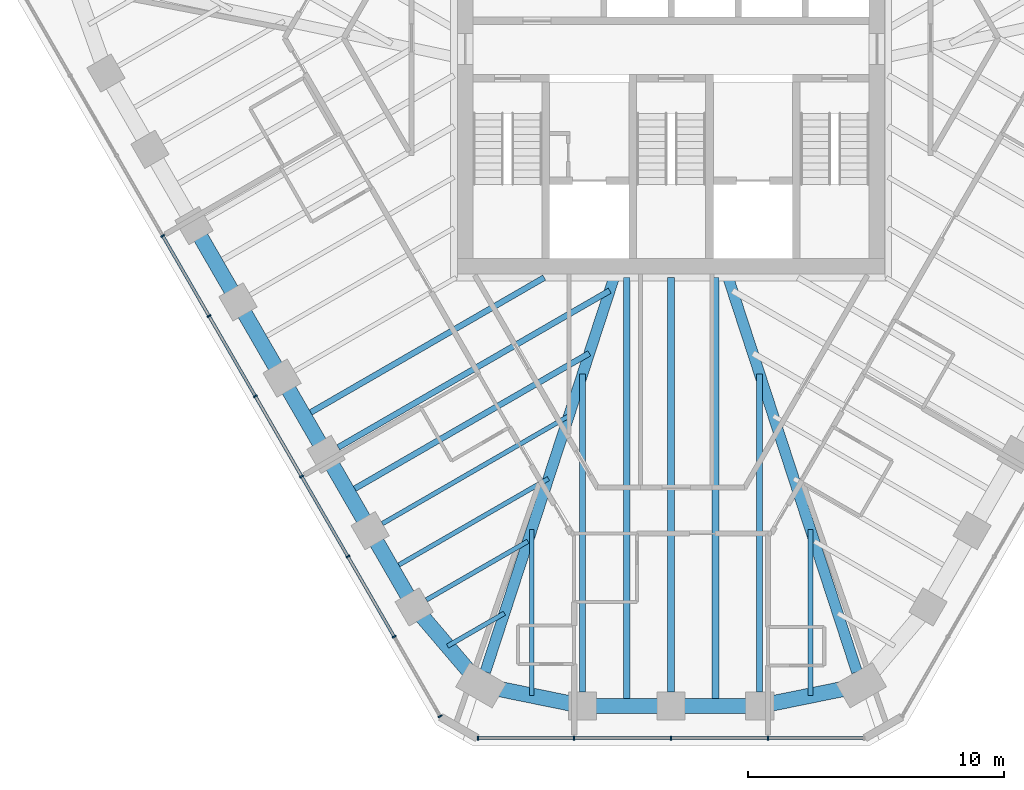
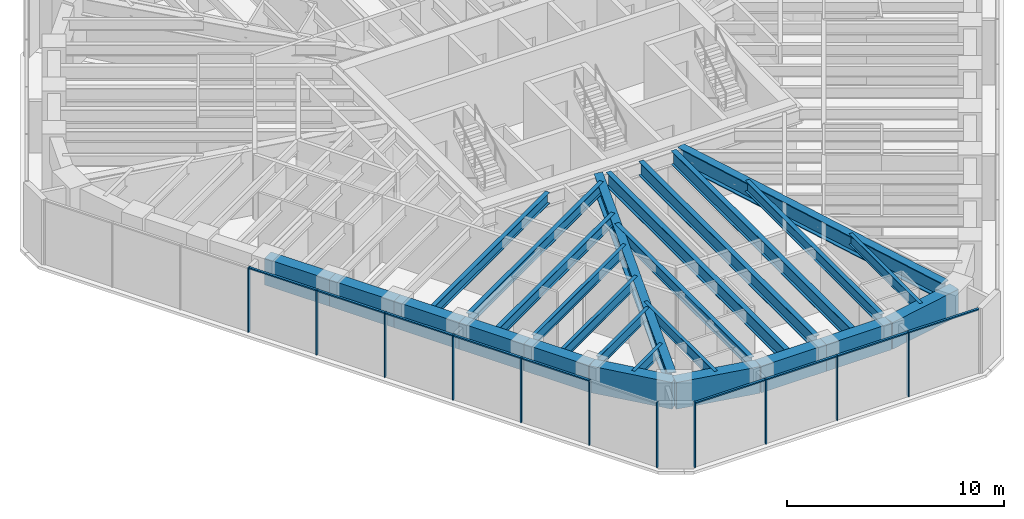
# One storey, part 2 of 14: 26 beams, 20 members, 2 elements without a shape of their own.
"""IFC4 building model written with IfcOpenShell, lengths in metres."""

from ifc_helpers import new_model, si_unit, direction, frame, origin, origin_2d, place, context, subcontext, project, spatial, rectangle, i_section, extrude, material, material_profile, profile_set, type_object, element, aggregate, save


model = new_model("IFC4")

# Units and contexts
model_context = context("Model", 3, precision=1e-05, world=origin(), true_north=direction((0.0, 1.0)))
body_context = subcontext(model_context, "Body", "Model", "MODEL_VIEW")
ifc_project = project(units=[si_unit("LENGTHUNIT", "METRE"), si_unit("AREAUNIT", "SQUARE_METRE"), si_unit("VOLUMEUNIT", "CUBIC_METRE"), si_unit("PLANEANGLEUNIT", "RADIAN"), si_unit("MASSUNIT", "GRAM", prefix="KILO")], contexts=[model_context])

# Site, building, storey
site_placement = place(None, origin())
site = spatial("IfcSite", under=ifc_project, at=site_placement, CompositionType="ELEMENT")
building_placement = place(site_placement, origin())
building = spatial("IfcBuilding", under=site, at=building_placement, Name="Sandreach Pilgrim Tower", CompositionType="ELEMENT")
storey_placement = place(building_placement, frame((0.0, 0.0, 291.199951171875)))
storey = spatial("IfcBuildingStorey", under=building, at=storey_placement, Name="L73", CompositionType="ELEMENT", Elevation=291.199951171875)

# Curtain wall, members
ifc_material_1 = material(Name="Aluminium framed curtain wall", Category="aluminium")
curtain_wall_type = type_object("IfcCurtainWallType", Name="Suite tower curtain wall", PredefinedType="NOTDEFINED", material=ifc_material_1)
curtain_wall_1_placement = place(storey_placement, origin())
curtain_wall_1 = element("IfcCurtainWall", 1, at=curtain_wall_1_placement, inside=storey, type_object=curtain_wall_type, Name="CW-4 L73 S", PredefinedType="NOTDEFINED")
ifc_material_2 = material(Name="Aluminium extrusion", Category="aluminium")
ifc_material_profile_1 = material_profile(ifc_material_2, rectangle(XDim=0.06005859375, YDim=0.159912109375, at=origin_2d()), Name="CW-4M 60X160")
ifc_profile_set_1 = profile_set([ifc_material_profile_1], Name="Aluminium extrusion")
member_type_1 = type_object("IfcMemberType", Name="CW-4 mullion", PredefinedType="MULLION", material=ifc_profile_set_1)
member_1_placement = place(storey_placement, frame((3.791748046875, -24.858154296875, 0.0), z_axis=(0.0, 0.0, 1.0), x_axis=(-1.0, 0.0, 0.0)))
member_1 = element("IfcMember", 2, at=member_1_placement, type_object=member_type_1, Name="CW-4 mullion 2", PredefinedType="MULLION", context=body_context, shape_type="SweptSolid", body=[
    extrude(rectangle(XDim=0.06005859375, YDim=0.159912109375, at=origin_2d()), origin(), (0.0, 0.0, 1.0), 3.64013671875),
])
member_2_placement = place(storey_placement, frame((0.0, -24.858154296875, 0.0), z_axis=(0.0, 0.0, 1.0), x_axis=(-1.0, 0.0, 0.0)))
member_2 = element("IfcMember", 3, at=member_2_placement, type_object=member_type_1, Name="CW-4 mullion 3", PredefinedType="MULLION", context=body_context, shape_type="SweptSolid", body=[
    extrude(rectangle(XDim=0.06005859375, YDim=0.159912109375, at=origin_2d()), origin(), (0.0, 0.0, 1.0), 3.64013671875),
])
member_3_placement = place(storey_placement, frame((-3.791748046875, -24.858154296875, 0.0), z_axis=(0.0, 0.0, 1.0), x_axis=(-1.0, 0.0, 0.0)))
member_3 = element("IfcMember", 4, at=member_3_placement, type_object=member_type_1, Name="CW-4 mullion 4", PredefinedType="MULLION", context=body_context, shape_type="SweptSolid", body=[
    extrude(rectangle(XDim=0.06005859375, YDim=0.159912109375, at=origin_2d()), origin(), (0.0, 0.0, 1.0), 3.64013671875),
])
member_4_placement = place(storey_placement, frame((-7.553466796875, -24.858154296875, 0.0), z_axis=(0.0, 0.0, 1.0), x_axis=(-1.0, 0.0, 0.0)))
member_4 = element("IfcMember", 5, at=member_4_placement, type_object=member_type_1, Name="CW-4 mullion 5", PredefinedType="MULLION", context=body_context, shape_type="SweptSolid", body=[
    extrude(rectangle(XDim=0.06005859375, YDim=0.159912109375, at=origin_2d()), origin(), (0.0, 0.0, 1.0), 3.64013671875),
])

curtain_wall_2_placement = place(storey_placement, origin())
curtain_wall_2 = element("IfcCurtainWall", 6, at=curtain_wall_2_placement, inside=storey, type_object=curtain_wall_type, Name="CW-4 L73 SW", PredefinedType="NOTDEFINED")
member_5_placement = place(storey_placement, frame((-9.035888671875, -24.001953125, 0.0), z_axis=(0.0, 0.0, 1.0), x_axis=(-0.5, 0.866025403784, 0.0)))
member_5 = element("IfcMember", 7, at=member_5_placement, type_object=member_type_1, Name="CW-4 mullion 1", PredefinedType="MULLION", context=body_context, shape_type="SweptSolid", body=[
    extrude(rectangle(XDim=0.06005859375, YDim=0.159912109375, at=origin_2d()), origin(), (0.0, 0.0, 1.0), 3.64013671875),
])
member_6_placement = place(storey_placement, frame((-10.83203125, -20.891357421875, 0.0), z_axis=(0.0, 0.0, 1.0), x_axis=(-0.5, 0.866025403784, 0.0)))
member_6 = element("IfcMember", 8, at=member_6_placement, type_object=member_type_1, Name="CW-4 mullion 2", PredefinedType="MULLION", context=body_context, shape_type="SweptSolid", body=[
    extrude(rectangle(XDim=0.06005859375, YDim=0.159912109375, at=origin_2d()), origin(), (0.0, 0.0, 1.0), 3.64013671875),
])
member_7_placement = place(storey_placement, frame((-12.642822265625, -17.7548828125, 0.0), z_axis=(0.0, 0.0, 1.0), x_axis=(-0.5, 0.866025403784, 0.0)))
member_7 = element("IfcMember", 9, at=member_7_placement, type_object=member_type_1, Name="CW-4 mullion 3", PredefinedType="MULLION", context=body_context, shape_type="SweptSolid", body=[
    extrude(rectangle(XDim=0.06005859375, YDim=0.159912109375, at=origin_2d()), origin(), (0.0, 0.0, 1.0), 3.64013671875),
])
member_8_placement = place(storey_placement, frame((-14.453857421875, -14.6181640625, 0.0), z_axis=(0.0, 0.0, 1.0), x_axis=(-0.5, 0.866025403784, 0.0)))
member_8 = element("IfcMember", 10, at=member_8_placement, type_object=member_type_1, Name="CW-4 mullion 4", PredefinedType="MULLION", context=body_context, shape_type="SweptSolid", body=[
    extrude(rectangle(XDim=0.06005859375, YDim=0.159912109375, at=origin_2d()), origin(), (0.0, 0.0, 1.0), 3.64013671875),
])
member_9_placement = place(storey_placement, frame((-16.2646484375, -11.4814453125, 0.0), z_axis=(0.0, 0.0, 1.0), x_axis=(-0.5, 0.866025403784, 0.0)))
member_9 = element("IfcMember", 11, at=member_9_placement, type_object=member_type_1, Name="CW-4 mullion 5", PredefinedType="MULLION", context=body_context, shape_type="SweptSolid", body=[
    extrude(rectangle(XDim=0.06005859375, YDim=0.159912109375, at=origin_2d()), origin(), (0.0, 0.0, 1.0), 3.64013671875),
])
member_10_placement = place(storey_placement, frame((-18.07568359375, -8.344970703125, 0.0), z_axis=(0.0, 0.0, 1.0), x_axis=(-0.5, 0.866025403784, 0.0)))
member_10 = element("IfcMember", 12, at=member_10_placement, type_object=member_type_1, Name="CW-4 mullion 6", PredefinedType="MULLION", context=body_context, shape_type="SweptSolid", body=[
    extrude(rectangle(XDim=0.06005859375, YDim=0.159912109375, at=origin_2d()), origin(), (0.0, 0.0, 1.0), 3.64013671875),
])
member_11_placement = place(storey_placement, frame((-19.886474609375, -5.208251953125, 0.0), z_axis=(0.0, 0.0, 1.0), x_axis=(-0.5, 0.866025403784, 0.0)))
member_11 = element("IfcMember", 13, at=member_11_placement, type_object=member_type_1, Name="CW-4 mullion 7", PredefinedType="MULLION", context=body_context, shape_type="SweptSolid", body=[
    extrude(rectangle(XDim=0.06005859375, YDim=0.159912109375, at=origin_2d()), origin(), (0.0, 0.0, 1.0), 3.64013671875),
])

# Member
ifc_material_3 = material(Name="Aluminium extrusion", Category="aluminium")
ifc_material_profile_2 = material_profile(ifc_material_3, rectangle(XDim=0.1201171875, YDim=0.070068359375, at=origin_2d()), Name="CW-4T 120X70")
ifc_profile_set_2 = profile_set([ifc_material_profile_2], Name="Aluminium extrusion")
member_type_2 = type_object("IfcMemberType", Name="CW-4 transom", PredefinedType="USERDEFINED", material=ifc_profile_set_2)
member_12_placement = place(storey_placement, frame((7.5234375, -24.858154296875, 3.60498046875), z_axis=(-1.0, 0.0, 0.0), x_axis=(0.0, -1.0, 0.0)))
member_12 = element("IfcMember", 14, at=member_12_placement, type_object=member_type_2, Name="CW-4 head transom 1", ObjectType="TRANSOM", PredefinedType="USERDEFINED", context=body_context, shape_type="SweptSolid", body=[
    extrude(rectangle(XDim=0.1201171875, YDim=0.070068359375, at=origin_2d()), origin(), (0.0, 0.0, 1.0), 3.70166015625),
])

member_13_placement = place(storey_placement, frame((3.76171875, -24.858154296875, 3.60498046875), z_axis=(-1.0, 0.0, 0.0), x_axis=(0.0, -1.0, 0.0)))
member_13 = element("IfcMember", 15, at=member_13_placement, type_object=member_type_2, Name="CW-4 head transom 2", ObjectType="TRANSOM", PredefinedType="USERDEFINED", context=body_context, shape_type="SweptSolid", body=[
    extrude(rectangle(XDim=0.1201171875, YDim=0.070068359375, at=origin_2d()), origin(), (0.0, 0.0, 1.0), 3.731689453125),
])

member_14_placement = place(storey_placement, frame((-0.030029296875, -24.858154296875, 3.60498046875), z_axis=(-1.0, 0.0, 0.0), x_axis=(0.0, -1.0, 0.0)))
member_14 = element("IfcMember", 16, at=member_14_placement, type_object=member_type_2, Name="CW-4 head transom 3", ObjectType="TRANSOM", PredefinedType="USERDEFINED", context=body_context, shape_type="SweptSolid", body=[
    extrude(rectangle(XDim=0.1201171875, YDim=0.070068359375, at=origin_2d()), origin(), (0.0, 0.0, 1.0), 3.731689453125),
])

member_15_placement = place(storey_placement, frame((-3.82177734375, -24.858154296875, 3.60498046875), z_axis=(-1.0, 0.0, 0.0), x_axis=(0.0, -1.0, 0.0)))
member_15 = element("IfcMember", 17, at=member_15_placement, type_object=member_type_2, Name="CW-4 head transom 4", ObjectType="TRANSOM", PredefinedType="USERDEFINED", context=body_context, shape_type="SweptSolid", body=[
    extrude(rectangle(XDim=0.1201171875, YDim=0.070068359375, at=origin_2d()), origin(), (0.0, 0.0, 1.0), 3.70166015625),
])

aggregate(curtain_wall_1, [member_1, member_2, member_3, member_4, member_12, member_13, member_14, member_15])

member_16_placement = place(storey_placement, frame((-10.846923828125, -20.865478515625, 3.60498046875), z_axis=(-0.500009219579, 0.866020080793, 0.0), x_axis=(-0.866020080793, -0.500009219579, 0.0)))
member_16 = element("IfcMember", 18, at=member_16_placement, type_object=member_type_2, Name="CW-4 head transom 2", ObjectType="TRANSOM", PredefinedType="USERDEFINED", context=body_context, shape_type="SweptSolid", body=[
    extrude(rectangle(XDim=0.1201171875, YDim=0.070068359375, at=origin_2d()), origin(), (0.0, 0.0, 1.0), 3.56201171875),
])

member_17_placement = place(storey_placement, frame((-12.657958984375, -17.728759765625, 3.60498046875), z_axis=(-0.499957811549, 0.866049759928, 0.0), x_axis=(-0.866049759928, -0.499957811549, 0.0)))
member_17 = element("IfcMember", 19, at=member_17_placement, type_object=member_type_2, Name="CW-4 head transom 3", ObjectType="TRANSOM", PredefinedType="USERDEFINED", context=body_context, shape_type="SweptSolid", body=[
    extrude(rectangle(XDim=0.1201171875, YDim=0.070068359375, at=origin_2d()), origin(), (0.0, 0.0, 1.0), 3.561767578125),
])

member_18_placement = place(storey_placement, frame((-14.46875, -14.59228515625, 3.60498046875), z_axis=(-0.500009219579, 0.866020080793, 0.0), x_axis=(-0.866020080793, -0.500009219579, 0.0)))
member_18 = element("IfcMember", 20, at=member_18_placement, type_object=member_type_2, Name="CW-4 head transom 4", ObjectType="TRANSOM", PredefinedType="USERDEFINED", context=body_context, shape_type="SweptSolid", body=[
    extrude(rectangle(XDim=0.1201171875, YDim=0.070068359375, at=origin_2d()), origin(), (0.0, 0.0, 1.0), 3.56201171875),
])

member_19_placement = place(storey_placement, frame((-16.27978515625, -11.45556640625, 3.60498046875), z_axis=(-0.499957811549, 0.866049759928, 0.0), x_axis=(-0.866049759928, -0.499957811549, 0.0)))
member_19 = element("IfcMember", 21, at=member_19_placement, type_object=member_type_2, Name="CW-4 head transom 5", ObjectType="TRANSOM", PredefinedType="USERDEFINED", context=body_context, shape_type="SweptSolid", body=[
    extrude(rectangle(XDim=0.1201171875, YDim=0.070068359375, at=origin_2d()), origin(), (0.0, 0.0, 1.0), 3.561767578125),
])

member_20_placement = place(storey_placement, frame((-18.090576171875, -8.31884765625, 3.60498046875), z_axis=(-0.500038900691, 0.866002943295, 0.0), x_axis=(-0.866002943295, -0.500038900691, 0.0)))
member_20 = element("IfcMember", 22, at=member_20_placement, type_object=member_type_2, Name="CW-4 head transom 6", ObjectType="TRANSOM", PredefinedType="USERDEFINED", context=body_context, shape_type="SweptSolid", body=[
    extrude(rectangle(XDim=0.1201171875, YDim=0.070068359375, at=origin_2d()), origin(), (0.0, 0.0, 1.0), 3.561767578125),
])

aggregate(curtain_wall_2, [member_5, member_6, member_7, member_8, member_9, member_10, member_11, member_16, member_17, member_18, member_19, member_20])

# Beams
ifc_material_4 = material(Name="Steel ASTM A992 Grade 50", Category="steel")
ifc_material_profile_3 = material_profile(ifc_material_4, i_section(OverallWidth=0.424072265625, OverallDepth=0.947509765625, WebThickness=0.02392578125, FlangeThickness=0.042724609375, at=origin_2d()), Name="W36X302")
ifc_profile_set_3 = profile_set([ifc_material_profile_3], Name="Steel ASTM A992 Grade 50")
beam_type_1 = type_object("IfcBeamType", Name="Corner girder W36X302", PredefinedType="BEAM", material=ifc_profile_set_3)
for number, where, z_axis, x_axis, name in (
    (23, (7.268310546875, -22.2666015625, 3.166259765625), (-0.310308570047, 0.950635887896, 0.0), (-0.950635887896, -0.310308570047, 0.0), "BM L73 CG22"),
    (24, (-7.268310546875, -22.2666015625, 3.166259765625), (0.310308570047, 0.950635887896, 0.0), (-0.950635887896, 0.310308570047, 0.0), "BM L73 CG26"),
):
    element("IfcBeam", number, at=place(storey_placement, frame(where, z_axis=z_axis, x_axis=x_axis)), inside=storey, type_object=beam_type_1, Name=name, PredefinedType="BEAM", context=body_context, shape_type="SweptSolid", body=[
        extrude(i_section(OverallWidth=0.424072265625, OverallDepth=0.947509765625, WebThickness=0.02392578125, FlangeThickness=0.042724609375, at=origin_2d()), origin(), (0.0, 0.0, 1.0), 16.375),
    ])
ifc_material_5 = material(Name="Steel ASTM A992 Grade 50", Category="steel")
ifc_material_profile_4 = material_profile(ifc_material_5, i_section(OverallWidth=0.1787109375, OverallDepth=0.60205078125, WebThickness=0.010986328125, FlangeThickness=0.014892578125, at=origin_2d()), Name="W24X62")
ifc_profile_set_4 = profile_set([ifc_material_profile_4], Name="Steel ASTM A992 Grade 50")
beam_type_2 = type_object("IfcBeamType", Name="Floor beam W24X62", PredefinedType="BEAM", material=ifc_profile_set_4)
beam_1_placement = place(storey_placement, frame((-9.573974609375, -19.450439453125, 3.339111328125), z_axis=(0.866024320471, 0.50000187635, 0.0), x_axis=(-0.50000187635, 0.866024320471, 0.0)))
element("IfcBeam", 25, at=beam_1_placement, inside=storey, type_object=beam_type_2, Name="BM L73 F27", PredefinedType="BEAM", context=body_context, shape_type="SweptSolid", body=[
    extrude(i_section(OverallWidth=0.1787109375, OverallDepth=0.60205078125, WebThickness=0.010986328125, FlangeThickness=0.014892578125, at=origin_2d()), origin(), (0.0, 0.0, 1.0), 4.58837890625),
])
beam_2_placement = place(storey_placement, frame((-11.29638671875, -16.466796875, 3.339111328125), z_axis=(0.866026819143, 0.499997548519, 0.0), x_axis=(-0.499997548519, 0.866026819143, 0.0)))
element("IfcBeam", 26, at=beam_2_placement, inside=storey, type_object=beam_type_2, Name="BM L73 F28", PredefinedType="BEAM", context=body_context, shape_type="SweptSolid", body=[
    extrude(i_section(OverallWidth=0.1787109375, OverallDepth=0.60205078125, WebThickness=0.010986328125, FlangeThickness=0.014892578125, at=origin_2d()), origin(), (0.0, 0.0, 1.0), 8.4248046875),
])
for number, where, z_axis, x_axis, name in (
    (27, (5.452392578125, -23.19384765625, 3.339111328125), (0.0, 1.0, 0.0), (-1.0, 0.0, 0.0), "BM L73 FM22"),
    (28, (-5.452392578125, -23.19384765625, 3.339111328125), (0.0, 1.0, 0.0), (-1.0, 0.0, 0.0), "BM L73 FM25"),
):
    element("IfcBeam", number, at=place(storey_placement, frame(where, z_axis=z_axis, x_axis=x_axis)), inside=storey, type_object=beam_type_2, Name=name, PredefinedType="BEAM", context=body_context, shape_type="SweptSolid", body=[
        extrude(i_section(OverallWidth=0.1787109375, OverallDepth=0.60205078125, WebThickness=0.010986328125, FlangeThickness=0.014892578125, at=origin_2d()), origin(), (0.0, 0.0, 1.0), 6.49072265625),
    ])
beam_3_placement = place(storey_placement, frame((-8.74462890625, -21.25732421875, 3.339111328125), z_axis=(0.866041575714, 0.49997198835, 0.0), x_axis=(-0.49997198835, 0.866041575714, 0.0)))
element("IfcBeam", 29, at=beam_3_placement, inside=storey, type_object=beam_type_2, Name="BM L73 FM26", PredefinedType="BEAM", context=body_context, shape_type="SweptSolid", body=[
    extrude(i_section(OverallWidth=0.1787109375, OverallDepth=0.60205078125, WebThickness=0.010986328125, FlangeThickness=0.014892578125, at=origin_2d()), origin(), (0.0, 0.0, 1.0), 2.569091796875),
])
beam_4_placement = place(storey_placement, frame((-10.911376953125, -18.233642578125, 3.339111328125), z_axis=(0.866020229007, 0.50000896287, 0.0), x_axis=(-0.50000896287, 0.866020229007, 0.0)))
element("IfcBeam", 30, at=beam_4_placement, inside=storey, type_object=beam_type_2, Name="BM L73 FM27", PredefinedType="BEAM", context=body_context, shape_type="SweptSolid", body=[
    extrude(i_section(OverallWidth=0.1787109375, OverallDepth=0.60205078125, WebThickness=0.010986328125, FlangeThickness=0.014892578125, at=origin_2d()), origin(), (0.0, 0.0, 1.0), 7.056396484375),
])
ifc_material_6 = material(Name="Steel ASTM A992 Grade 50", Category="steel")
ifc_material_profile_5 = material_profile(ifc_material_6, i_section(OverallWidth=0.23046875, OverallDepth=0.6171875, WebThickness=0.01318359375, FlangeThickness=0.022216796875, at=origin_2d()), Name="W24X94")
ifc_profile_set_5 = profile_set([ifc_material_profile_5], Name="Steel ASTM A992 Grade 50")
beam_type_3 = type_object("IfcBeamType", Name="Floor beam W24X94", PredefinedType="BEAM", material=ifc_profile_set_5)
for number, where, z_axis, x_axis, name in (
    (31, (3.465576171875, -23.048095703125, 3.33154296875), (0.0, 1.0, 0.0), (-1.0, 0.0, 0.0), "BM L73 F23"),
    (32, (-3.465576171875, -23.048095703125, 3.33154296875), (0.0, 1.0, 0.0), (-1.0, 0.0, 0.0), "BM L73 F25"),
):
    element("IfcBeam", number, at=place(storey_placement, frame(where, z_axis=z_axis, x_axis=x_axis)), inside=storey, type_object=beam_type_3, Name=name, PredefinedType="BEAM", context=body_context, shape_type="SweptSolid", body=[
        extrude(i_section(OverallWidth=0.23046875, OverallDepth=0.6171875, WebThickness=0.01318359375, FlangeThickness=0.022216796875, at=origin_2d()), origin(), (0.0, 0.0, 1.0), 12.431396484375),
    ])
beam_5_placement = place(storey_placement, frame((-13.018798828125, -13.4833984375, 3.33154296875), z_axis=(0.866019132277, 0.500010862412, 0.0), x_axis=(-0.500010862412, 0.866019132277, 0.0)))
element("IfcBeam", 33, at=beam_5_placement, inside=storey, type_object=beam_type_3, Name="BM L73 F29", PredefinedType="BEAM", context=body_context, shape_type="SweptSolid", body=[
    extrude(i_section(OverallWidth=0.23046875, OverallDepth=0.6171875, WebThickness=0.01318359375, FlangeThickness=0.022216796875, at=origin_2d()), origin(), (0.0, 0.0, 1.0), 12.261474609375),
])
beam_6_placement = place(storey_placement, frame((-12.634033203125, -15.250244140625, 3.33154296875), z_axis=(0.866019500887, 0.500010223979, 0.0), x_axis=(-0.500010223979, 0.866019500887, 0.0)))
element("IfcBeam", 34, at=beam_6_placement, inside=storey, type_object=beam_type_3, Name="BM L73 FM28", PredefinedType="BEAM", context=body_context, shape_type="SweptSolid", body=[
    extrude(i_section(OverallWidth=0.23046875, OverallDepth=0.6171875, WebThickness=0.01318359375, FlangeThickness=0.022216796875, at=origin_2d()), origin(), (0.0, 0.0, 1.0), 10.893310546875),
])
beam_7_placement = place(storey_placement, frame((-14.3564453125, -12.2666015625, 3.33154296875), z_axis=(0.866026660645, 0.499997823047, 0.0), x_axis=(-0.499997823047, 0.866026660645, 0.0)))
element("IfcBeam", 35, at=beam_7_placement, inside=storey, type_object=beam_type_3, Name="BM L73 FM29", PredefinedType="BEAM", context=body_context, shape_type="SweptSolid", body=[
    extrude(i_section(OverallWidth=0.23046875, OverallDepth=0.6171875, WebThickness=0.01318359375, FlangeThickness=0.022216796875, at=origin_2d()), origin(), (0.0, 0.0, 1.0), 10.8466796875),
])
ifc_material_7 = material(Name="Steel ASTM A992 Grade 50", Category="steel")
ifc_material_profile_6 = material_profile(ifc_material_7, i_section(OverallWidth=0.2666015625, OverallDepth=0.77978515625, WebThickness=0.0166015625, FlangeThickness=0.030029296875, at=origin_2d()), Name="W30X148")
ifc_profile_set_6 = profile_set([ifc_material_profile_6], Name="Steel ASTM A992 Grade 50")
beam_type_4 = type_object("IfcBeamType", Name="Floor beam W30X148", PredefinedType="BEAM", material=ifc_profile_set_6)
beam_8_placement = place(storey_placement, frame((0.0, -23.048095703125, 3.250244140625), z_axis=(0.0, 1.0, 0.0), x_axis=(-1.0, 0.0, 0.0)))
element("IfcBeam", 36, at=beam_8_placement, inside=storey, type_object=beam_type_4, Name="BM L73 F24", PredefinedType="BEAM", context=body_context, shape_type="SweptSolid", body=[
    extrude(i_section(OverallWidth=0.2666015625, OverallDepth=0.77978515625, WebThickness=0.0166015625, FlangeThickness=0.030029296875, at=origin_2d()), origin(), (0.0, 0.0, 1.0), 16.204833984375),
])
for number, where, z_axis, x_axis, name in (
    (37, (1.732666015625, -23.59814453125, 3.250244140625), (0.0, 1.0, 0.0), (-1.0, 0.0, 0.0), "BM L73 FM23"),
    (38, (-1.732666015625, -23.59814453125, 3.250244140625), (0.0, 1.0, 0.0), (-1.0, 0.0, 0.0), "BM L73 FM24"),
):
    element("IfcBeam", number, at=place(storey_placement, frame(where, z_axis=z_axis, x_axis=x_axis)), inside=storey, type_object=beam_type_4, Name=name, PredefinedType="BEAM", context=body_context, shape_type="SweptSolid", body=[
        extrude(i_section(OverallWidth=0.2666015625, OverallDepth=0.77978515625, WebThickness=0.0166015625, FlangeThickness=0.030029296875, at=origin_2d()), origin(), (0.0, 0.0, 1.0), 16.7548828125),
    ])
ifc_material_8 = material(Name="Concrete 10000 psi", Category="concrete")
ifc_material_profile_7 = material_profile(ifc_material_8, rectangle(XDim=0.60009765625, YDim=1.5, at=origin_2d()), Name="RC600X1500")
ifc_profile_set_7 = profile_set([ifc_material_profile_7], Name="Concrete 10000 psi")
beam_type_5 = type_object("IfcBeamType", Name="Spandrel beam RC600X1500", PredefinedType="SPANDREL", material=ifc_profile_set_7)
beam_9_placement = place(storey_placement, frame((7.439208984375, -22.78955078125, 2.89013671875), z_axis=(-0.979917524616, -0.199403222016, 0.0), x_axis=(0.199403222016, -0.979917524616, 0.0)))
element("IfcBeam", 39, at=beam_9_placement, inside=storey, type_object=beam_type_5, Name="BM L73 SP22", PredefinedType="SPANDREL", context=body_context, shape_type="SweptSolid", body=[
    extrude(rectangle(XDim=0.60009765625, YDim=1.5, at=origin_2d()), origin(), (0.0, 0.0, 1.0), 4.05517578125),
])
for number, where, z_axis, x_axis, name in (
    (40, (3.465576171875, -23.59814453125, 2.89013671875), (-1.0, 0.0, 0.0), (0.0, -1.0, 0.0), "BM L73 SP23"),
    (41, (0.0, -23.59814453125, 2.89013671875), (-1.0, 0.0, 0.0), (0.0, -1.0, 0.0), "BM L73 SP24"),
):
    element("IfcBeam", number, at=place(storey_placement, frame(where, z_axis=z_axis, x_axis=x_axis)), inside=storey, type_object=beam_type_5, Name=name, PredefinedType="SPANDREL", context=body_context, shape_type="SweptSolid", body=[
        extrude(rectangle(XDim=0.60009765625, YDim=1.5, at=origin_2d()), origin(), (0.0, 0.0, 1.0), 3.465576171875),
    ])
beam_10_placement = place(storey_placement, frame((-3.465576171875, -23.59814453125, 2.89013671875), z_axis=(-0.979917524616, 0.199403222016, 0.0), x_axis=(-0.199403222016, -0.979917524616, 0.0)))
element("IfcBeam", 42, at=beam_10_placement, inside=storey, type_object=beam_type_5, Name="BM L73 SP25", PredefinedType="SPANDREL", context=body_context, shape_type="SweptSolid", body=[
    extrude(rectangle(XDim=0.60009765625, YDim=1.5, at=origin_2d()), origin(), (0.0, 0.0, 1.0), 4.05517578125),
])
beam_11_placement = place(storey_placement, frame((-7.439208984375, -22.78955078125, 2.89013671875), z_axis=(-0.648586192707, 0.761141215958, 0.0), x_axis=(-0.761141215958, -0.648586192707, 0.0)))
element("IfcBeam", 43, at=beam_11_placement, inside=storey, type_object=beam_type_5, Name="BM L73 SP26", PredefinedType="SPANDREL", context=body_context, shape_type="SweptSolid", body=[
    extrude(rectangle(XDim=0.60009765625, YDim=1.5, at=origin_2d()), origin(), (0.0, 0.0, 1.0), 4.02587890625),
])
for number, where, z_axis, x_axis, name in (
    (44, (-10.05029296875, -19.725341796875, 2.89013671875), (-0.499988291006, 0.866032163869, 0.0), (-0.866032163869, -0.499988291006, 0.0), "BM L73 SP27"),
    (45, (-11.772705078125, -16.741943359375, 2.89013671875), (-0.499988291006, 0.866032163869, 0.0), (-0.866032163869, -0.499988291006, 0.0), "BM L73 SP28"),
):
    element("IfcBeam", number, at=place(storey_placement, frame(where, z_axis=z_axis, x_axis=x_axis)), inside=storey, type_object=beam_type_5, Name=name, PredefinedType="SPANDREL", context=body_context, shape_type="SweptSolid", body=[
        extrude(rectangle(XDim=0.60009765625, YDim=1.5, at=origin_2d()), origin(), (0.0, 0.0, 1.0), 3.44482421875),
    ])
beam_12_placement = place(storey_placement, frame((-13.4951171875, -13.758544921875, 2.89013671875), z_axis=(-0.500010754882, 0.866019194361, 0.0), x_axis=(-0.866019194361, -0.500010754882, 0.0)))
element("IfcBeam", 46, at=beam_12_placement, inside=storey, type_object=beam_type_5, Name="BM L73 SP29", PredefinedType="SPANDREL", context=body_context, shape_type="SweptSolid", body=[
    extrude(rectangle(XDim=0.60009765625, YDim=1.5, at=origin_2d()), origin(), (0.0, 0.0, 1.0), 3.4453125),
])
beam_13_placement = place(storey_placement, frame((-15.2177734375, -10.77490234375, 2.89013671875), z_axis=(-0.499988291006, 0.866032163869, 0.0), x_axis=(-0.866032163869, -0.499988291006, 0.0)))
element("IfcBeam", 47, at=beam_13_placement, inside=storey, type_object=beam_type_5, Name="BM L73 SP30", PredefinedType="SPANDREL", context=body_context, shape_type="SweptSolid", body=[
    extrude(rectangle(XDim=0.60009765625, YDim=1.5, at=origin_2d()), origin(), (0.0, 0.0, 1.0), 3.44482421875),
])
beam_14_placement = place(storey_placement, frame((-16.940185546875, -7.79150390625, 2.89013671875), z_axis=(-0.500041441558, 0.866001476168, 0.0), x_axis=(-0.866001476168, -0.500041441558, 0.0)))
element("IfcBeam", 48, at=beam_14_placement, inside=storey, type_object=beam_type_5, Name="BM L73 SP31", PredefinedType="SPANDREL", context=body_context, shape_type="SweptSolid", body=[
    extrude(rectangle(XDim=0.60009765625, YDim=1.5, at=origin_2d()), origin(), (0.0, 0.0, 1.0), 3.445068359375),
])

save(model, "model.ifc")
